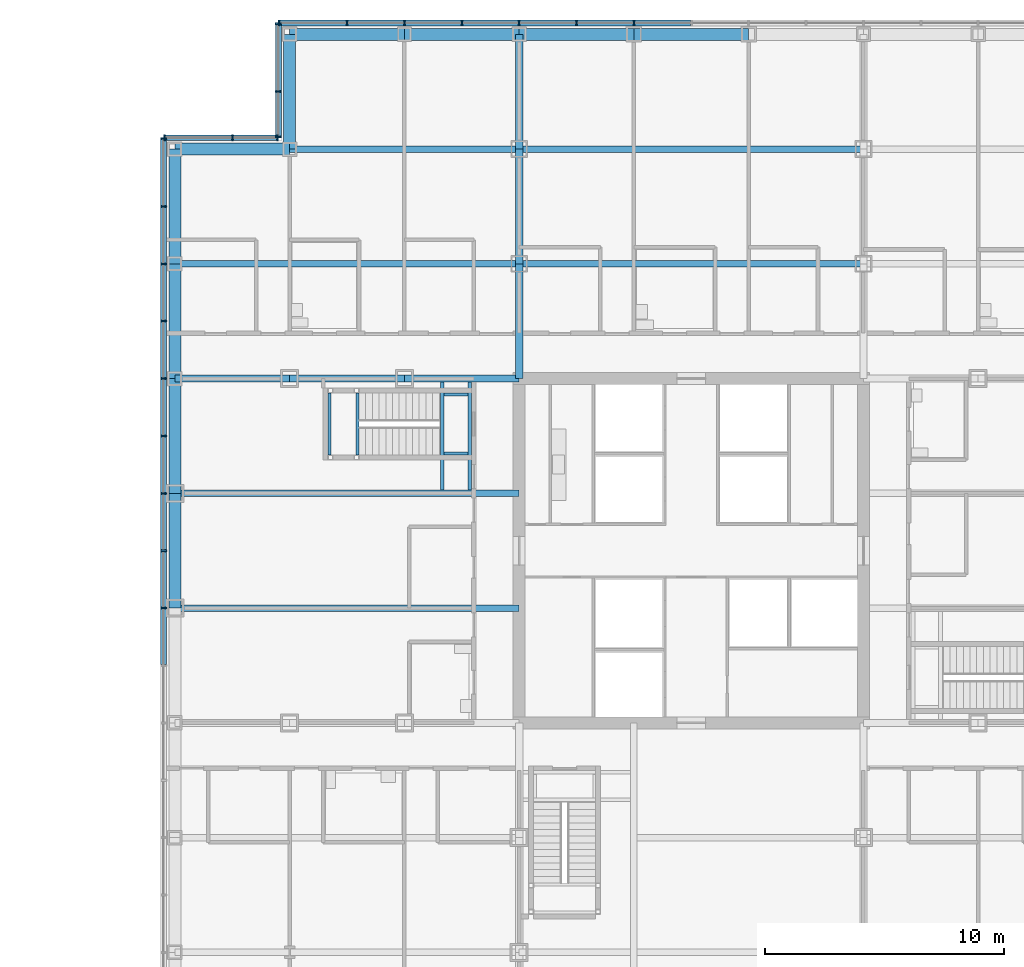
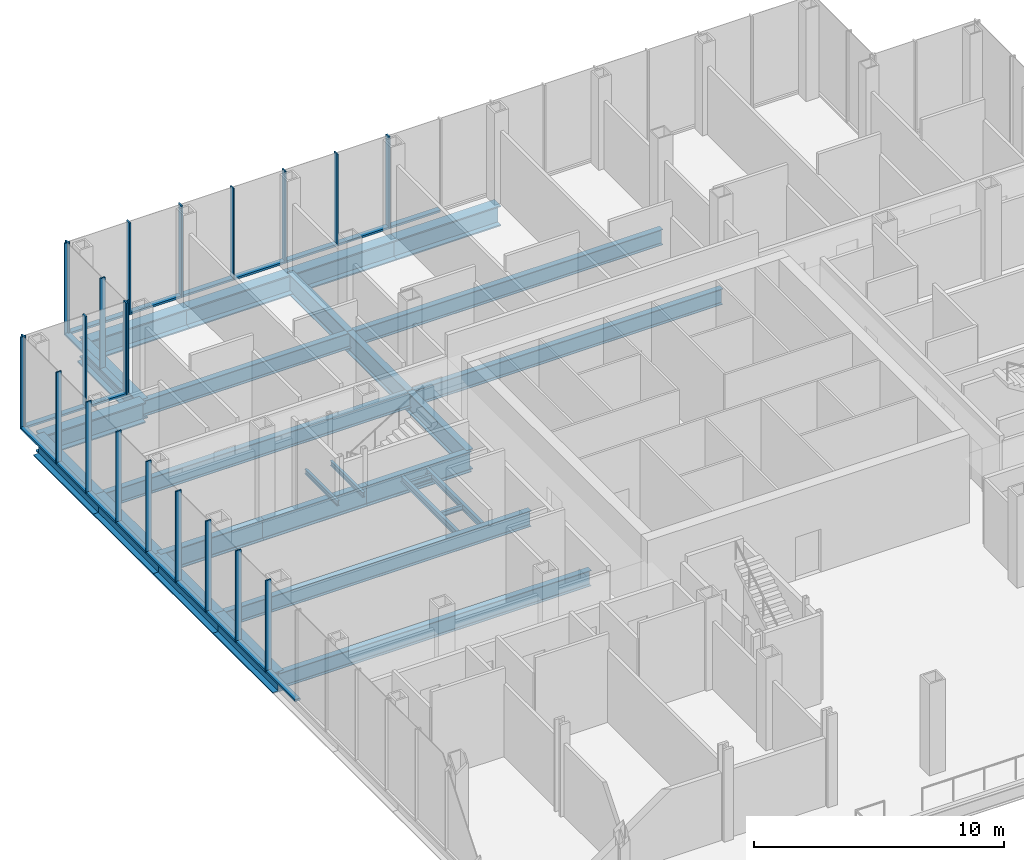
# One storey, part 15 of 28: 42 members, 28 beams, 4 elements without a shape of their own.
"""IFC4 building model written with IfcOpenShell, lengths in metres."""

from ifc_helpers import new_model, si_unit, direction, frame, origin, origin_2d, place, context, subcontext, project, spatial, rectangle, i_section, extrude, material, material_profile, profile_set, type_object, element, aggregate, save


model = new_model("IFC4")

# Units and contexts
model_context = context("Model", 3, precision=1e-05, world=origin(), true_north=direction((0.0, 1.0)))
body_context = subcontext(model_context, "Body", "Model", "MODEL_VIEW")
ifc_project = project(units=[si_unit("LENGTHUNIT", "METRE"), si_unit("AREAUNIT", "SQUARE_METRE"), si_unit("VOLUMEUNIT", "CUBIC_METRE"), si_unit("PLANEANGLEUNIT", "RADIAN"), si_unit("MASSUNIT", "GRAM", prefix="KILO")], contexts=[model_context])

# Site, building, storey
site_placement = place(None, origin())
site = spatial("IfcSite", under=ifc_project, at=site_placement, CompositionType="ELEMENT")
building_placement = place(site_placement, origin())
building = spatial("IfcBuilding", under=site, at=building_placement, Name="Kvirike Care Tower", CompositionType="ELEMENT")
storey_placement = place(building_placement, frame((0.0, 0.0, 4.5)))
storey = spatial("IfcBuildingStorey", under=building, at=storey_placement, Name="L01", CompositionType="ELEMENT", Elevation=4.5)

# Curtain wall, members
ifc_material_1 = material(Name="Anodised aluminium stick system", Category="aluminium")
curtain_wall_type = type_object("IfcCurtainWallType", Name="CW-P PODIUM STICK CURTAIN WALL", PredefinedType="NOTDEFINED", material=ifc_material_1)
curtain_wall_1_placement = place(storey_placement, origin())
curtain_wall_1 = element("IfcCurtainWall", 1, at=curtain_wall_1_placement, inside=storey, type_object=curtain_wall_type, Name="Curtain wall L01 face 11", PredefinedType="NOTDEFINED")
ifc_material_2 = material(Name="Bronze anodised aluminium mullion", Category="aluminium")
ifc_material_profile_1 = material_profile(ifc_material_2, rectangle(XDim=0.06494140625, YDim=0.25, at=origin_2d()), Name="CW-P MULLION 65x250")
ifc_profile_set_1 = profile_set([ifc_material_profile_1], Name="Bronze anodised aluminium mullion")
member_type_1 = type_object("IfcMemberType", Name="CW-P MULLION 65x250", PredefinedType="MULLION", material=ifc_profile_set_1)
member_1_placement = place(storey_placement, frame((19.199951171875, 58.074951171875, 0.0), z_axis=(0.0, 0.0, 1.0), x_axis=(-1.0, 0.0, 0.0)))
member_1 = element("IfcMember", 2, at=member_1_placement, type_object=member_type_1, Name="CW-P mullion L01 face 11.9", PredefinedType="MULLION", context=body_context, shape_type="SweptSolid", body=[
    extrude(rectangle(XDim=0.06494140625, YDim=0.25, at=origin_2d()), origin(), (0.0, 0.0, 1.0), 4.5),
])
member_2_placement = place(storey_placement, frame((16.800048828125, 58.074951171875, 0.0), z_axis=(0.0, 0.0, 1.0), x_axis=(-1.0, 0.0, 0.0)))
member_2 = element("IfcMember", 3, at=member_2_placement, type_object=member_type_1, Name="CW-P mullion L01 face 11.10", PredefinedType="MULLION", context=body_context, shape_type="SweptSolid", body=[
    extrude(rectangle(XDim=0.06494140625, YDim=0.25, at=origin_2d()), origin(), (0.0, 0.0, 1.0), 4.5),
])
member_3_placement = place(storey_placement, frame((14.39990234375, 58.074951171875, 0.0), z_axis=(0.0, 0.0, 1.0), x_axis=(-1.0, 0.0, 0.0)))
member_3 = element("IfcMember", 4, at=member_3_placement, type_object=member_type_1, Name="CW-P mullion L01 face 11.11", PredefinedType="MULLION", context=body_context, shape_type="SweptSolid", body=[
    extrude(rectangle(XDim=0.06494140625, YDim=0.25, at=origin_2d()), origin(), (0.0, 0.0, 1.0), 4.5),
])
member_4_placement = place(storey_placement, frame((12.0, 58.074951171875, 0.0), z_axis=(0.0, 0.0, 1.0), x_axis=(-1.0, 0.0, 0.0)))
member_4 = element("IfcMember", 5, at=member_4_placement, type_object=member_type_1, Name="CW-P mullion L01 face 11.12", PredefinedType="MULLION", context=body_context, shape_type="SweptSolid", body=[
    extrude(rectangle(XDim=0.06494140625, YDim=0.25, at=origin_2d()), origin(), (0.0, 0.0, 1.0), 4.5),
])
member_5_placement = place(storey_placement, frame((9.60009765625, 58.074951171875, 0.0), z_axis=(0.0, 0.0, 1.0), x_axis=(-1.0, 0.0, 0.0)))
member_5 = element("IfcMember", 6, at=member_5_placement, type_object=member_type_1, Name="CW-P mullion L01 face 11.13", PredefinedType="MULLION", context=body_context, shape_type="SweptSolid", body=[
    extrude(rectangle(XDim=0.06494140625, YDim=0.25, at=origin_2d()), origin(), (0.0, 0.0, 1.0), 4.5),
])
member_6_placement = place(storey_placement, frame((7.199951171875, 58.074951171875, 0.0), z_axis=(0.0, 0.0, 1.0), x_axis=(-1.0, 0.0, 0.0)))
member_6 = element("IfcMember", 7, at=member_6_placement, type_object=member_type_1, Name="CW-P mullion L01 face 11.14", PredefinedType="MULLION", context=body_context, shape_type="SweptSolid", body=[
    extrude(rectangle(XDim=0.06494140625, YDim=0.25, at=origin_2d()), origin(), (0.0, 0.0, 1.0), 4.5),
])
member_7_placement = place(storey_placement, frame((4.357421875, 58.074951171875, 0.0), z_axis=(0.0, 0.0, 1.0), x_axis=(-1.0, 0.0, 0.0)))
member_7 = element("IfcMember", 8, at=member_7_placement, type_object=member_type_1, Name="CW-P mullion L01 face 11.15", PredefinedType="MULLION", context=body_context, shape_type="SweptSolid", body=[
    extrude(rectangle(XDim=0.06494140625, YDim=0.25, at=origin_2d()), origin(), (0.0, 0.0, 1.0), 4.5),
])

curtain_wall_2_placement = place(storey_placement, origin())
curtain_wall_2 = element("IfcCurtainWall", 9, at=curtain_wall_2_placement, inside=storey, type_object=curtain_wall_type, Name="Curtain wall L01 face 12", PredefinedType="NOTDEFINED")
member_8_placement = place(storey_placement, frame((4.324951171875, 58.04248046875, 0.0), z_axis=(0.0, 0.0, 1.0), x_axis=(0.0, -1.0, 0.0)))
member_8 = element("IfcMember", 10, at=member_8_placement, type_object=member_type_1, Name="CW-P mullion L01 face 12.1", PredefinedType="MULLION", context=body_context, shape_type="SweptSolid", body=[
    extrude(rectangle(XDim=0.06494140625, YDim=0.25, at=origin_2d()), origin(), (0.0, 0.0, 1.0), 4.5),
])
member_9_placement = place(storey_placement, frame((4.324951171875, 55.199951171875, 0.0), z_axis=(0.0, 0.0, 1.0), x_axis=(0.0, -1.0, 0.0)))
member_9 = element("IfcMember", 11, at=member_9_placement, type_object=member_type_1, Name="CW-P mullion L01 face 12.2", PredefinedType="MULLION", context=body_context, shape_type="SweptSolid", body=[
    extrude(rectangle(XDim=0.06494140625, YDim=0.25, at=origin_2d()), origin(), (0.0, 0.0, 1.0), 4.5),
])
member_10_placement = place(storey_placement, frame((4.324951171875, 53.3076171875, 0.0), z_axis=(0.0, 0.0, 1.0), x_axis=(0.0, -1.0, 0.0)))
member_10 = element("IfcMember", 12, at=member_10_placement, type_object=member_type_1, Name="CW-P mullion L01 face 12.3", PredefinedType="MULLION", context=body_context, shape_type="SweptSolid", body=[
    extrude(rectangle(XDim=0.06494140625, YDim=0.25, at=origin_2d()), origin(), (0.0, 0.0, 1.0), 4.5),
])

curtain_wall_3_placement = place(storey_placement, origin())
curtain_wall_3 = element("IfcCurtainWall", 13, at=curtain_wall_3_placement, inside=storey, type_object=curtain_wall_type, Name="Curtain wall L01 face 13", PredefinedType="NOTDEFINED")
member_11_placement = place(storey_placement, frame((4.29248046875, 53.27490234375, 0.0), z_axis=(0.0, 0.0, 1.0), x_axis=(-1.0, 0.0, 0.0)))
member_11 = element("IfcMember", 14, at=member_11_placement, type_object=member_type_1, Name="CW-P mullion L01 face 13.1", PredefinedType="MULLION", context=body_context, shape_type="SweptSolid", body=[
    extrude(rectangle(XDim=0.06494140625, YDim=0.25, at=origin_2d()), origin(), (0.0, 0.0, 1.0), 4.5),
])
member_12_placement = place(storey_placement, frame((2.39990234375, 53.27490234375, 0.0), z_axis=(0.0, 0.0, 1.0), x_axis=(-1.0, 0.0, 0.0)))
member_12 = element("IfcMember", 15, at=member_12_placement, type_object=member_type_1, Name="CW-P mullion L01 face 13.2", PredefinedType="MULLION", context=body_context, shape_type="SweptSolid", body=[
    extrude(rectangle(XDim=0.06494140625, YDim=0.25, at=origin_2d()), origin(), (0.0, 0.0, 1.0), 4.5),
])
member_13_placement = place(storey_placement, frame((-0.4423828125, 53.27490234375, 0.0), z_axis=(0.0, 0.0, 1.0), x_axis=(-1.0, 0.0, 0.0)))
member_13 = element("IfcMember", 16, at=member_13_placement, type_object=member_type_1, Name="CW-P mullion L01 face 13.3", PredefinedType="MULLION", context=body_context, shape_type="SweptSolid", body=[
    extrude(rectangle(XDim=0.06494140625, YDim=0.25, at=origin_2d()), origin(), (0.0, 0.0, 1.0), 4.5),
])

curtain_wall_4_placement = place(storey_placement, origin())
curtain_wall_4 = element("IfcCurtainWall", 17, at=curtain_wall_4_placement, inside=storey, type_object=curtain_wall_type, Name="Curtain wall L01 face 14", PredefinedType="NOTDEFINED")
member_14_placement = place(storey_placement, frame((-0.47509765625, 53.242431640625, 0.0), z_axis=(0.0, 0.0, 1.0), x_axis=(0.0, -1.0, 0.0)))
member_14 = element("IfcMember", 18, at=member_14_placement, type_object=member_type_1, Name="CW-P mullion L01 face 14.1", PredefinedType="MULLION", context=body_context, shape_type="SweptSolid", body=[
    extrude(rectangle(XDim=0.06494140625, YDim=0.25, at=origin_2d()), origin(), (0.0, 0.0, 1.0), 4.5),
])
member_15_placement = place(storey_placement, frame((-0.47509765625, 50.39990234375, 0.0), z_axis=(0.0, 0.0, 1.0), x_axis=(0.0, -1.0, 0.0)))
member_15 = element("IfcMember", 19, at=member_15_placement, type_object=member_type_1, Name="CW-P mullion L01 face 14.2", PredefinedType="MULLION", context=body_context, shape_type="SweptSolid", body=[
    extrude(rectangle(XDim=0.06494140625, YDim=0.25, at=origin_2d()), origin(), (0.0, 0.0, 1.0), 4.5),
])
member_16_placement = place(storey_placement, frame((-0.47509765625, 48.0, 0.0), z_axis=(0.0, 0.0, 1.0), x_axis=(0.0, -1.0, 0.0)))
member_16 = element("IfcMember", 20, at=member_16_placement, type_object=member_type_1, Name="CW-P mullion L01 face 14.3", PredefinedType="MULLION", context=body_context, shape_type="SweptSolid", body=[
    extrude(rectangle(XDim=0.06494140625, YDim=0.25, at=origin_2d()), origin(), (0.0, 0.0, 1.0), 4.5),
])
member_17_placement = place(storey_placement, frame((-0.47509765625, 45.60009765625, 0.0), z_axis=(0.0, 0.0, 1.0), x_axis=(0.0, -1.0, 0.0)))
member_17 = element("IfcMember", 21, at=member_17_placement, type_object=member_type_1, Name="CW-P mullion L01 face 14.4", PredefinedType="MULLION", context=body_context, shape_type="SweptSolid", body=[
    extrude(rectangle(XDim=0.06494140625, YDim=0.25, at=origin_2d()), origin(), (0.0, 0.0, 1.0), 4.5),
])
member_18_placement = place(storey_placement, frame((-0.47509765625, 43.199951171875, 0.0), z_axis=(0.0, 0.0, 1.0), x_axis=(0.0, -1.0, 0.0)))
member_18 = element("IfcMember", 22, at=member_18_placement, type_object=member_type_1, Name="CW-P mullion L01 face 14.5", PredefinedType="MULLION", context=body_context, shape_type="SweptSolid", body=[
    extrude(rectangle(XDim=0.06494140625, YDim=0.25, at=origin_2d()), origin(), (0.0, 0.0, 1.0), 4.5),
])
member_19_placement = place(storey_placement, frame((-0.47509765625, 40.800048828125, 0.0), z_axis=(0.0, 0.0, 1.0), x_axis=(0.0, -1.0, 0.0)))
member_19 = element("IfcMember", 23, at=member_19_placement, type_object=member_type_1, Name="CW-P mullion L01 face 14.6", PredefinedType="MULLION", context=body_context, shape_type="SweptSolid", body=[
    extrude(rectangle(XDim=0.06494140625, YDim=0.25, at=origin_2d()), origin(), (0.0, 0.0, 1.0), 4.5),
])
member_20_placement = place(storey_placement, frame((-0.47509765625, 38.39990234375, 0.0), z_axis=(0.0, 0.0, 1.0), x_axis=(0.0, -1.0, 0.0)))
member_20 = element("IfcMember", 24, at=member_20_placement, type_object=member_type_1, Name="CW-P mullion L01 face 14.7", PredefinedType="MULLION", context=body_context, shape_type="SweptSolid", body=[
    extrude(rectangle(XDim=0.06494140625, YDim=0.25, at=origin_2d()), origin(), (0.0, 0.0, 1.0), 4.5),
])
member_21_placement = place(storey_placement, frame((-0.47509765625, 36.0, 0.0), z_axis=(0.0, 0.0, 1.0), x_axis=(0.0, -1.0, 0.0)))
member_21 = element("IfcMember", 25, at=member_21_placement, type_object=member_type_1, Name="CW-P mullion L01 face 14.8", PredefinedType="MULLION", context=body_context, shape_type="SweptSolid", body=[
    extrude(rectangle(XDim=0.06494140625, YDim=0.25, at=origin_2d()), origin(), (0.0, 0.0, 1.0), 4.5),
])
member_22_placement = place(storey_placement, frame((-0.47509765625, 33.60009765625, 0.0), z_axis=(0.0, 0.0, 1.0), x_axis=(0.0, -1.0, 0.0)))
member_22 = element("IfcMember", 26, at=member_22_placement, type_object=member_type_1, Name="CW-P mullion L01 face 14.9", PredefinedType="MULLION", context=body_context, shape_type="SweptSolid", body=[
    extrude(rectangle(XDim=0.06494140625, YDim=0.25, at=origin_2d()), origin(), (0.0, 0.0, 1.0), 4.5),
])

# Member
ifc_material_3 = material(Name="Bronze anodised aluminium transom", Category="aluminium")
ifc_material_profile_2 = material_profile(ifc_material_3, rectangle(XDim=0.25, YDim=0.10009765625, at=origin_2d()), Name="CW-P TRANSOM 250x100")
ifc_profile_set_2 = profile_set([ifc_material_profile_2], Name="Bronze anodised aluminium transom")
member_type_2 = type_object("IfcMemberType", Name="CW-P TRANSOM 250x100", PredefinedType="USERDEFINED", material=ifc_profile_set_2)
member_23_placement = place(storey_placement, frame((21.5673828125, 58.074951171875, 0.050048828125), z_axis=(-1.0, 0.0, 0.0), x_axis=(0.0, -1.0, 0.0)))
member_23 = element("IfcMember", 27, at=member_23_placement, type_object=member_type_2, Name="CW-P sill transom L01 face 11.8", ObjectType="TRANSOM", PredefinedType="USERDEFINED", context=body_context, shape_type="SweptSolid", body=[
    extrude(rectangle(XDim=0.25, YDim=0.10009765625, at=origin_2d()), origin(), (0.0, 0.0, 1.0), 2.3349609375),
])

member_24_placement = place(storey_placement, frame((19.16748046875, 58.074951171875, 0.050048828125), z_axis=(-1.0, 0.0, 0.0), x_axis=(0.0, -1.0, 0.0)))
member_24 = element("IfcMember", 28, at=member_24_placement, type_object=member_type_2, Name="CW-P sill transom L01 face 11.9", ObjectType="TRANSOM", PredefinedType="USERDEFINED", context=body_context, shape_type="SweptSolid", body=[
    extrude(rectangle(XDim=0.25, YDim=0.10009765625, at=origin_2d()), origin(), (0.0, 0.0, 1.0), 2.3349609375),
])

member_25_placement = place(storey_placement, frame((16.767578125, 58.074951171875, 0.050048828125), z_axis=(-1.0, 0.0, 0.0), x_axis=(0.0, -1.0, 0.0)))
member_25 = element("IfcMember", 29, at=member_25_placement, type_object=member_type_2, Name="CW-P sill transom L01 face 11.10", ObjectType="TRANSOM", PredefinedType="USERDEFINED", context=body_context, shape_type="SweptSolid", body=[
    extrude(rectangle(XDim=0.25, YDim=0.10009765625, at=origin_2d()), origin(), (0.0, 0.0, 1.0), 2.3349609375),
])

member_26_placement = place(storey_placement, frame((14.367431640625, 58.074951171875, 0.050048828125), z_axis=(-1.0, 0.0, 0.0), x_axis=(0.0, -1.0, 0.0)))
member_26 = element("IfcMember", 30, at=member_26_placement, type_object=member_type_2, Name="CW-P sill transom L01 face 11.11", ObjectType="TRANSOM", PredefinedType="USERDEFINED", context=body_context, shape_type="SweptSolid", body=[
    extrude(rectangle(XDim=0.25, YDim=0.10009765625, at=origin_2d()), origin(), (0.0, 0.0, 1.0), 2.3349609375),
])

member_27_placement = place(storey_placement, frame((11.967529296875, 58.074951171875, 0.050048828125), z_axis=(-1.0, 0.0, 0.0), x_axis=(0.0, -1.0, 0.0)))
member_27 = element("IfcMember", 31, at=member_27_placement, type_object=member_type_2, Name="CW-P sill transom L01 face 11.12", ObjectType="TRANSOM", PredefinedType="USERDEFINED", context=body_context, shape_type="SweptSolid", body=[
    extrude(rectangle(XDim=0.25, YDim=0.10009765625, at=origin_2d()), origin(), (0.0, 0.0, 1.0), 2.3349609375),
])

member_28_placement = place(storey_placement, frame((9.5673828125, 58.074951171875, 0.050048828125), z_axis=(-1.0, 0.0, 0.0), x_axis=(0.0, -1.0, 0.0)))
member_28 = element("IfcMember", 32, at=member_28_placement, type_object=member_type_2, Name="CW-P sill transom L01 face 11.13", ObjectType="TRANSOM", PredefinedType="USERDEFINED", context=body_context, shape_type="SweptSolid", body=[
    extrude(rectangle(XDim=0.25, YDim=0.10009765625, at=origin_2d()), origin(), (0.0, 0.0, 1.0), 2.3349609375),
])

member_29_placement = place(storey_placement, frame((7.16748046875, 58.074951171875, 0.050048828125), z_axis=(-1.0, 0.0, 0.0), x_axis=(0.0, -1.0, 0.0)))
member_29 = element("IfcMember", 33, at=member_29_placement, type_object=member_type_2, Name="CW-P sill transom L01 face 11.14", ObjectType="TRANSOM", PredefinedType="USERDEFINED", context=body_context, shape_type="SweptSolid", body=[
    extrude(rectangle(XDim=0.25, YDim=0.10009765625, at=origin_2d()), origin(), (0.0, 0.0, 1.0), 2.777587890625),
])

aggregate(curtain_wall_1, [member_1, member_2, member_3, member_4, member_5, member_6, member_7, member_23, member_24, member_25, member_26, member_27, member_28, member_29])

member_30_placement = place(storey_placement, frame((4.324951171875, 58.010009765625, 0.050048828125), z_axis=(0.0, -1.0, 0.0), x_axis=(1.0, 0.0, 0.0)))
member_30 = element("IfcMember", 34, at=member_30_placement, type_object=member_type_2, Name="CW-P sill transom L01 face 12.1", ObjectType="TRANSOM", PredefinedType="USERDEFINED", context=body_context, shape_type="SweptSolid", body=[
    extrude(rectangle(XDim=0.25, YDim=0.10009765625, at=origin_2d()), origin(), (0.0, 0.0, 1.0), 2.777587890625),
])

member_31_placement = place(storey_placement, frame((4.324951171875, 55.16748046875, 0.050048828125), z_axis=(0.0, -1.0, 0.0), x_axis=(1.0, 0.0, 0.0)))
member_31 = element("IfcMember", 35, at=member_31_placement, type_object=member_type_2, Name="CW-P sill transom L01 face 12.2", ObjectType="TRANSOM", PredefinedType="USERDEFINED", context=body_context, shape_type="SweptSolid", body=[
    extrude(rectangle(XDim=0.25, YDim=0.10009765625, at=origin_2d()), origin(), (0.0, 0.0, 1.0), 1.827392578125),
])

aggregate(curtain_wall_2, [member_8, member_9, member_10, member_30, member_31])

member_32_placement = place(storey_placement, frame((4.260009765625, 53.27490234375, 0.050048828125), z_axis=(-1.0, 0.0, 0.0), x_axis=(0.0, -1.0, 0.0)))
member_32 = element("IfcMember", 36, at=member_32_placement, type_object=member_type_2, Name="CW-P sill transom L01 face 13.1", ObjectType="TRANSOM", PredefinedType="USERDEFINED", context=body_context, shape_type="SweptSolid", body=[
    extrude(rectangle(XDim=0.25, YDim=0.10009765625, at=origin_2d()), origin(), (0.0, 0.0, 1.0), 1.827392578125),
])

member_33_placement = place(storey_placement, frame((2.367431640625, 53.27490234375, 0.050048828125), z_axis=(-1.0, 0.0, 0.0), x_axis=(0.0, -1.0, 0.0)))
member_33 = element("IfcMember", 37, at=member_33_placement, type_object=member_type_2, Name="CW-P sill transom L01 face 13.2", ObjectType="TRANSOM", PredefinedType="USERDEFINED", context=body_context, shape_type="SweptSolid", body=[
    extrude(rectangle(XDim=0.25, YDim=0.10009765625, at=origin_2d()), origin(), (0.0, 0.0, 1.0), 2.77734375),
])

aggregate(curtain_wall_3, [member_11, member_12, member_13, member_32, member_33])

member_34_placement = place(storey_placement, frame((-0.47509765625, 53.2099609375, 0.050048828125), z_axis=(0.0, -1.0, 0.0), x_axis=(1.0, 0.0, 0.0)))
member_34 = element("IfcMember", 38, at=member_34_placement, type_object=member_type_2, Name="CW-P sill transom L01 face 14.1", ObjectType="TRANSOM", PredefinedType="USERDEFINED", context=body_context, shape_type="SweptSolid", body=[
    extrude(rectangle(XDim=0.25, YDim=0.10009765625, at=origin_2d()), origin(), (0.0, 0.0, 1.0), 2.77734375),
])

member_35_placement = place(storey_placement, frame((-0.47509765625, 50.367431640625, 0.050048828125), z_axis=(0.0, -1.0, 0.0), x_axis=(1.0, 0.0, 0.0)))
member_35 = element("IfcMember", 39, at=member_35_placement, type_object=member_type_2, Name="CW-P sill transom L01 face 14.2", ObjectType="TRANSOM", PredefinedType="USERDEFINED", context=body_context, shape_type="SweptSolid", body=[
    extrude(rectangle(XDim=0.25, YDim=0.10009765625, at=origin_2d()), origin(), (0.0, 0.0, 1.0), 2.3349609375),
])

member_36_placement = place(storey_placement, frame((-0.47509765625, 47.967529296875, 0.050048828125), z_axis=(0.0, -1.0, 0.0), x_axis=(1.0, 0.0, 0.0)))
member_36 = element("IfcMember", 40, at=member_36_placement, type_object=member_type_2, Name="CW-P sill transom L01 face 14.3", ObjectType="TRANSOM", PredefinedType="USERDEFINED", context=body_context, shape_type="SweptSolid", body=[
    extrude(rectangle(XDim=0.25, YDim=0.10009765625, at=origin_2d()), origin(), (0.0, 0.0, 1.0), 2.3349609375),
])

member_37_placement = place(storey_placement, frame((-0.47509765625, 45.5673828125, 0.050048828125), z_axis=(0.0, -1.0, 0.0), x_axis=(1.0, 0.0, 0.0)))
member_37 = element("IfcMember", 41, at=member_37_placement, type_object=member_type_2, Name="CW-P sill transom L01 face 14.4", ObjectType="TRANSOM", PredefinedType="USERDEFINED", context=body_context, shape_type="SweptSolid", body=[
    extrude(rectangle(XDim=0.25, YDim=0.10009765625, at=origin_2d()), origin(), (0.0, 0.0, 1.0), 2.3349609375),
])

member_38_placement = place(storey_placement, frame((-0.47509765625, 43.16748046875, 0.050048828125), z_axis=(0.0, -1.0, 0.0), x_axis=(1.0, 0.0, 0.0)))
member_38 = element("IfcMember", 42, at=member_38_placement, type_object=member_type_2, Name="CW-P sill transom L01 face 14.5", ObjectType="TRANSOM", PredefinedType="USERDEFINED", context=body_context, shape_type="SweptSolid", body=[
    extrude(rectangle(XDim=0.25, YDim=0.10009765625, at=origin_2d()), origin(), (0.0, 0.0, 1.0), 2.3349609375),
])

member_39_placement = place(storey_placement, frame((-0.47509765625, 40.767578125, 0.050048828125), z_axis=(0.0, -1.0, 0.0), x_axis=(1.0, 0.0, 0.0)))
member_39 = element("IfcMember", 43, at=member_39_placement, type_object=member_type_2, Name="CW-P sill transom L01 face 14.6", ObjectType="TRANSOM", PredefinedType="USERDEFINED", context=body_context, shape_type="SweptSolid", body=[
    extrude(rectangle(XDim=0.25, YDim=0.10009765625, at=origin_2d()), origin(), (0.0, 0.0, 1.0), 2.3349609375),
])

member_40_placement = place(storey_placement, frame((-0.47509765625, 38.367431640625, 0.050048828125), z_axis=(0.0, -1.0, 0.0), x_axis=(1.0, 0.0, 0.0)))
member_40 = element("IfcMember", 44, at=member_40_placement, type_object=member_type_2, Name="CW-P sill transom L01 face 14.7", ObjectType="TRANSOM", PredefinedType="USERDEFINED", context=body_context, shape_type="SweptSolid", body=[
    extrude(rectangle(XDim=0.25, YDim=0.10009765625, at=origin_2d()), origin(), (0.0, 0.0, 1.0), 2.3349609375),
])

member_41_placement = place(storey_placement, frame((-0.47509765625, 35.967529296875, 0.050048828125), z_axis=(0.0, -1.0, 0.0), x_axis=(1.0, 0.0, 0.0)))
member_41 = element("IfcMember", 45, at=member_41_placement, type_object=member_type_2, Name="CW-P sill transom L01 face 14.8", ObjectType="TRANSOM", PredefinedType="USERDEFINED", context=body_context, shape_type="SweptSolid", body=[
    extrude(rectangle(XDim=0.25, YDim=0.10009765625, at=origin_2d()), origin(), (0.0, 0.0, 1.0), 2.3349609375),
])

member_42_placement = place(storey_placement, frame((-0.47509765625, 33.5673828125, 0.050048828125), z_axis=(0.0, -1.0, 0.0), x_axis=(1.0, 0.0, 0.0)))
member_42 = element("IfcMember", 46, at=member_42_placement, type_object=member_type_2, Name="CW-P sill transom L01 face 14.9", ObjectType="TRANSOM", PredefinedType="USERDEFINED", context=body_context, shape_type="SweptSolid", body=[
    extrude(rectangle(XDim=0.25, YDim=0.10009765625, at=origin_2d()), origin(), (0.0, 0.0, 1.0), 2.3349609375),
])

aggregate(curtain_wall_4, [member_14, member_15, member_16, member_17, member_18, member_19, member_20, member_21, member_22, member_34, member_35, member_36, member_37, member_38, member_39, member_40, member_41, member_42])

# Beams
ifc_material_4 = material(Name="Steel S355", Category="steel")
ifc_material_profile_3 = material_profile(ifc_material_4, i_section(OverallWidth=0.26806640625, OverallDepth=0.77001953125, WebThickness=0.015625, FlangeThickness=0.025390625, FilletRadius=0.01708984375, at=origin_2d()), Name="IPE 750x196")
ifc_profile_set_3 = profile_set([ifc_material_profile_3], Name="Steel S355")
beam_type_1 = type_object("IfcBeamType", Name="FLOOR BEAM IPE 750x196", PredefinedType="BEAM", material=ifc_profile_set_3)
for number, where, z_axis, x_axis, name in (
    (47, (0.0, 33.60009765625, -0.554931640625), (1.0, 0.0, 0.0), (0.0, 1.0, 0.0), "Floor Beam H3-H6 L01"),
    (48, (0.0, 38.39990234375, -0.554931640625), (1.0, 0.0, 0.0), (0.0, 1.0, 0.0), "Floor Beam J3-J6 L01"),
    (49, (0.0, 48.0, -0.554931640625), (1.0, 0.0, 0.0), (0.0, 1.0, 0.0), "Floor Beam L3-L6 L01"),
):
    element("IfcBeam", number, at=place(storey_placement, frame(where, z_axis=z_axis, x_axis=x_axis)), inside=storey, type_object=beam_type_1, Name=name, PredefinedType="BEAM", context=body_context, shape_type="SweptSolid", body=[
        extrude(i_section(OverallWidth=0.26806640625, OverallDepth=0.77001953125, WebThickness=0.015625, FlangeThickness=0.025390625, FilletRadius=0.01708984375, at=origin_2d()), origin(), (0.0, 0.0, 1.0), 14.39990234375),
    ])
beam_1_placement = place(storey_placement, frame((14.39990234375, 48.0, -0.554931640625), z_axis=(1.0, 0.0, 0.0), x_axis=(0.0, 1.0, 0.0)))
element("IfcBeam", 50, at=beam_1_placement, inside=storey, type_object=beam_type_1, Name="Floor Beam L6-L9 L01", PredefinedType="BEAM", context=body_context, shape_type="SweptSolid", body=[
    extrude(i_section(OverallWidth=0.26806640625, OverallDepth=0.77001953125, WebThickness=0.015625, FlangeThickness=0.025390625, FilletRadius=0.01708984375, at=origin_2d()), origin(), (0.0, 0.0, 1.0), 14.400146484375),
])
beam_2_placement = place(storey_placement, frame((4.800048828125, 52.800048828125, -0.554931640625), z_axis=(1.0, 0.0, 0.0), x_axis=(0.0, 1.0, 0.0)))
element("IfcBeam", 51, at=beam_2_placement, inside=storey, type_object=beam_type_1, Name="Floor Beam M4-M6 L01", PredefinedType="BEAM", context=body_context, shape_type="SweptSolid", body=[
    extrude(i_section(OverallWidth=0.26806640625, OverallDepth=0.77001953125, WebThickness=0.015625, FlangeThickness=0.025390625, FilletRadius=0.01708984375, at=origin_2d()), origin(), (0.0, 0.0, 1.0), 9.599853515625),
])
beam_3_placement = place(storey_placement, frame((14.39990234375, 52.800048828125, -0.554931640625), z_axis=(1.0, 0.0, 0.0), x_axis=(0.0, 1.0, 0.0)))
element("IfcBeam", 52, at=beam_3_placement, inside=storey, type_object=beam_type_1, Name="Floor Beam M6-M9 L01", PredefinedType="BEAM", context=body_context, shape_type="SweptSolid", body=[
    extrude(i_section(OverallWidth=0.26806640625, OverallDepth=0.77001953125, WebThickness=0.015625, FlangeThickness=0.025390625, FilletRadius=0.01708984375, at=origin_2d()), origin(), (0.0, 0.0, 1.0), 14.400146484375),
])
ifc_material_5 = material(Name="Steel S355", Category="steel")
ifc_material_profile_4 = material_profile(ifc_material_5, i_section(OverallWidth=0.300048828125, OverallDepth=1.0, WebThickness=0.01904296875, FlangeThickness=0.035888671875, FilletRadius=0.030029296875, at=origin_2d()), Name="HE 1000 B")
ifc_profile_set_4 = profile_set([ifc_material_profile_4], Name="Steel S355")
beam_type_2 = type_object("IfcBeamType", Name="FRAME BEAM HE 1000 B", PredefinedType="BEAM", material=ifc_profile_set_4)
for number, where, z_axis, x_axis, name in (
    (53, (0.0, 43.199951171875, -0.669921875), (1.0, 0.0, 0.0), (0.0, 1.0, 0.0), "Frame Beam K3-K4 L01"),
    (54, (4.800048828125, 43.199951171875, -0.669921875), (1.0, 0.0, 0.0), (0.0, 1.0, 0.0), "Frame Beam K4-K5 L01"),
):
    element("IfcBeam", number, at=place(storey_placement, frame(where, z_axis=z_axis, x_axis=x_axis)), inside=storey, type_object=beam_type_2, Name=name, PredefinedType="BEAM", context=body_context, shape_type="SweptSolid", body=[
        extrude(i_section(OverallWidth=0.300048828125, OverallDepth=1.0, WebThickness=0.01904296875, FlangeThickness=0.035888671875, FilletRadius=0.030029296875, at=origin_2d()), origin(), (0.0, 0.0, 1.0), 4.800048828125),
    ])
beam_4_placement = place(storey_placement, frame((9.60009765625, 43.199951171875, -0.669921875), z_axis=(1.0, 0.0, 0.0), x_axis=(0.0, 1.0, 0.0)))
element("IfcBeam", 55, at=beam_4_placement, inside=storey, type_object=beam_type_2, Name="Frame Beam K5-K6 L01", PredefinedType="BEAM", context=body_context, shape_type="SweptSolid", body=[
    extrude(i_section(OverallWidth=0.300048828125, OverallDepth=1.0, WebThickness=0.01904296875, FlangeThickness=0.035888671875, FilletRadius=0.030029296875, at=origin_2d()), origin(), (0.0, 0.0, 1.0), 4.7998046875),
])
for number, where, z_axis, x_axis, name in (
    (56, (14.39990234375, 43.199951171875, -0.669921875), (0.0, 1.0, 0.0), (-1.0, 0.0, 0.0), "Frame Beam K6-L6 L01"),
    (57, (14.39990234375, 48.0, -0.669921875), (0.0, 1.0, 0.0), (-1.0, 0.0, 0.0), "Frame Beam L6-M6 L01"),
    (58, (14.39990234375, 52.800048828125, -0.669921875), (0.0, 1.0, 0.0), (-1.0, 0.0, 0.0), "Frame Beam M6-N6 L01"),
):
    element("IfcBeam", number, at=place(storey_placement, frame(where, z_axis=z_axis, x_axis=x_axis)), inside=storey, type_object=beam_type_2, Name=name, PredefinedType="BEAM", context=body_context, shape_type="SweptSolid", body=[
        extrude(i_section(OverallWidth=0.300048828125, OverallDepth=1.0, WebThickness=0.01904296875, FlangeThickness=0.035888671875, FilletRadius=0.030029296875, at=origin_2d()), origin(), (0.0, 0.0, 1.0), 4.800048828125),
    ])
ifc_material_6 = material(Name="Steel S355", Category="steel")
ifc_material_profile_5 = material_profile(ifc_material_6, i_section(OverallWidth=0.5, OverallDepth=1.0, WebThickness=0.030029296875, FlangeThickness=0.06005859375, at=origin_2d()), Name="PG 1000x500x30x60")
ifc_profile_set_5 = profile_set([ifc_material_profile_5], Name="Steel S355")
beam_type_3 = type_object("IfcBeamType", Name="SPANDREL PG 1000x500x30x60", PredefinedType="SPANDREL", material=ifc_profile_set_5)
for number, where, z_axis, x_axis, name in (
    (59, (0.0, 52.800048828125, -0.669921875), (1.0, 0.0, 0.0), (0.0, 1.0, 0.0), "Spandrel M3-M4 L01"),
    (60, (4.800048828125, 57.60009765625, -0.669921875), (1.0, 0.0, 0.0), (0.0, 1.0, 0.0), "Spandrel N4-N5 L01"),
):
    element("IfcBeam", number, at=place(storey_placement, frame(where, z_axis=z_axis, x_axis=x_axis)), inside=storey, type_object=beam_type_3, Name=name, PredefinedType="SPANDREL", context=body_context, shape_type="SweptSolid", body=[
        extrude(i_section(OverallWidth=0.5, OverallDepth=1.0, WebThickness=0.030029296875, FlangeThickness=0.06005859375, at=origin_2d()), origin(), (0.0, 0.0, 1.0), 4.800048828125),
    ])
beam_5_placement = place(storey_placement, frame((9.60009765625, 57.60009765625, -0.669921875), z_axis=(1.0, 0.0, 0.0), x_axis=(0.0, 1.0, 0.0)))
element("IfcBeam", 61, at=beam_5_placement, inside=storey, type_object=beam_type_3, Name="Spandrel N5-N6 L01", PredefinedType="SPANDREL", context=body_context, shape_type="SweptSolid", body=[
    extrude(i_section(OverallWidth=0.5, OverallDepth=1.0, WebThickness=0.030029296875, FlangeThickness=0.06005859375, at=origin_2d()), origin(), (0.0, 0.0, 1.0), 4.7998046875),
])
for number, where, z_axis, x_axis, name in (
    (62, (14.39990234375, 57.60009765625, -0.669921875), (1.0, 0.0, 0.0), (0.0, 1.0, 0.0), "Spandrel N6-N7 L01"),
    (63, (19.199951171875, 57.60009765625, -0.669921875), (1.0, 0.0, 0.0), (0.0, 1.0, 0.0), "Spandrel N7-N8 L01"),
):
    element("IfcBeam", number, at=place(storey_placement, frame(where, z_axis=z_axis, x_axis=x_axis)), inside=storey, type_object=beam_type_3, Name=name, PredefinedType="SPANDREL", context=body_context, shape_type="SweptSolid", body=[
        extrude(i_section(OverallWidth=0.5, OverallDepth=1.0, WebThickness=0.030029296875, FlangeThickness=0.06005859375, at=origin_2d()), origin(), (0.0, 0.0, 1.0), 4.800048828125),
    ])
beam_6_placement = place(storey_placement, frame((0.0, 33.60009765625, -0.669921875), z_axis=(0.0, 1.0, 0.0), x_axis=(-1.0, 0.0, 0.0)))
element("IfcBeam", 64, at=beam_6_placement, inside=storey, type_object=beam_type_3, Name="Spandrel H3-J3 L01", PredefinedType="SPANDREL", context=body_context, shape_type="SweptSolid", body=[
    extrude(i_section(OverallWidth=0.5, OverallDepth=1.0, WebThickness=0.030029296875, FlangeThickness=0.06005859375, at=origin_2d()), origin(), (0.0, 0.0, 1.0), 4.7998046875),
])
for number, where, z_axis, x_axis, name in (
    (65, (0.0, 38.39990234375, -0.669921875), (0.0, 1.0, 0.0), (-1.0, 0.0, 0.0), "Spandrel J3-K3 L01"),
    (66, (0.0, 43.199951171875, -0.669921875), (0.0, 1.0, 0.0), (-1.0, 0.0, 0.0), "Spandrel K3-L3 L01"),
    (67, (0.0, 48.0, -0.669921875), (0.0, 1.0, 0.0), (-1.0, 0.0, 0.0), "Spandrel L3-M3 L01"),
    (68, (4.800048828125, 52.800048828125, -0.669921875), (0.0, 1.0, 0.0), (-1.0, 0.0, 0.0), "Spandrel M4-N4 L01"),
):
    element("IfcBeam", number, at=place(storey_placement, frame(where, z_axis=z_axis, x_axis=x_axis)), inside=storey, type_object=beam_type_3, Name=name, PredefinedType="SPANDREL", context=body_context, shape_type="SweptSolid", body=[
        extrude(i_section(OverallWidth=0.5, OverallDepth=1.0, WebThickness=0.030029296875, FlangeThickness=0.06005859375, at=origin_2d()), origin(), (0.0, 0.0, 1.0), 4.800048828125),
    ])
ifc_material_7 = material(Name="Steel S355", Category="steel")
ifc_material_profile_6 = material_profile(ifc_material_7, i_section(OverallWidth=0.1201171875, OverallDepth=0.239990234375, WebThickness=0.006103515625, FlangeThickness=0.009765625, FilletRadius=0.014892578125, at=origin_2d()), Name="IPE 240")
ifc_profile_set_6 = profile_set([ifc_material_profile_6], Name="Steel S355")
beam_type_4 = type_object("IfcBeamType", Name="STAIR LANDING BEAM IPE 240", PredefinedType="BEAM", material=ifc_profile_set_6)
for number, where, z_axis, x_axis, name in (
    (69, (6.4599609375, 42.60009765625, 1.929931640625), (0.0, -1.0, 0.0), (1.0, 0.0, 0.0), "Stair 1 landing beam back L01"),
    (70, (7.639892578125, 42.60009765625, 1.929931640625), (0.0, -1.0, 0.0), (1.0, 0.0, 0.0), "Stair 1 landing beam front L01"),
):
    element("IfcBeam", number, at=place(storey_placement, frame(where, z_axis=z_axis, x_axis=x_axis)), inside=storey, type_object=beam_type_4, Name=name, PredefinedType="BEAM", context=body_context, shape_type="SweptSolid", body=[
        extrude(i_section(OverallWidth=0.1201171875, OverallDepth=0.239990234375, WebThickness=0.006103515625, FlangeThickness=0.009765625, FilletRadius=0.014892578125, at=origin_2d()), origin(), (0.0, 0.0, 1.0), 2.60009765625),
    ])
for number, where, z_axis, x_axis, name in (
    (71, (11.25, 42.5400390625, -0.320068359375), (1.0, 0.0, 0.0), (0.0, 1.0, 0.0), "Stair 1 landing edge beam 1 L01"),
    (72, (11.25, 40.06005859375, -0.320068359375), (1.0, 0.0, 0.0), (0.0, 1.0, 0.0), "Stair 1 landing edge beam 2 L01"),
):
    element("IfcBeam", number, at=place(storey_placement, frame(where, z_axis=z_axis, x_axis=x_axis)), inside=storey, type_object=beam_type_4, Name=name, PredefinedType="BEAM", context=body_context, shape_type="SweptSolid", body=[
        extrude(i_section(OverallWidth=0.1201171875, OverallDepth=0.239990234375, WebThickness=0.006103515625, FlangeThickness=0.009765625, FilletRadius=0.014892578125, at=origin_2d()), origin(), (0.0, 0.0, 1.0), 1.0),
    ])
ifc_material_8 = material(Name="Steel S355", Category="steel")
ifc_material_profile_7 = material_profile(ifc_material_8, i_section(OverallWidth=0.14990234375, OverallDepth=0.300048828125, WebThickness=0.007080078125, FlangeThickness=0.0107421875, FilletRadius=0.014892578125, at=origin_2d()), Name="IPE 300")
ifc_profile_set_7 = profile_set([ifc_material_profile_7], Name="Steel S355")
beam_type_5 = type_object("IfcBeamType", Name="STAIR TRIMMER IPE 300", PredefinedType="BEAM", material=ifc_profile_set_7)
for number, where, z_axis, x_axis, name in (
    (73, (11.175048828125, 43.050048828125, -0.35009765625), (0.0, -1.0, 0.0), (1.0, 0.0, 0.0), "Stair 1 trimmer 1 L01"),
    (74, (12.324951171875, 43.050048828125, -0.35009765625), (0.0, -1.0, 0.0), (1.0, 0.0, 0.0), "Stair 1 trimmer 2 L01"),
):
    element("IfcBeam", number, at=place(storey_placement, frame(where, z_axis=z_axis, x_axis=x_axis)), inside=storey, type_object=beam_type_5, Name=name, PredefinedType="BEAM", context=body_context, shape_type="SweptSolid", body=[
        extrude(i_section(OverallWidth=0.14990234375, OverallDepth=0.300048828125, WebThickness=0.007080078125, FlangeThickness=0.0107421875, FilletRadius=0.014892578125, at=origin_2d()), origin(), (0.0, 0.0, 1.0), 4.51611328125),
    ])

save(model, "model.ifc")
